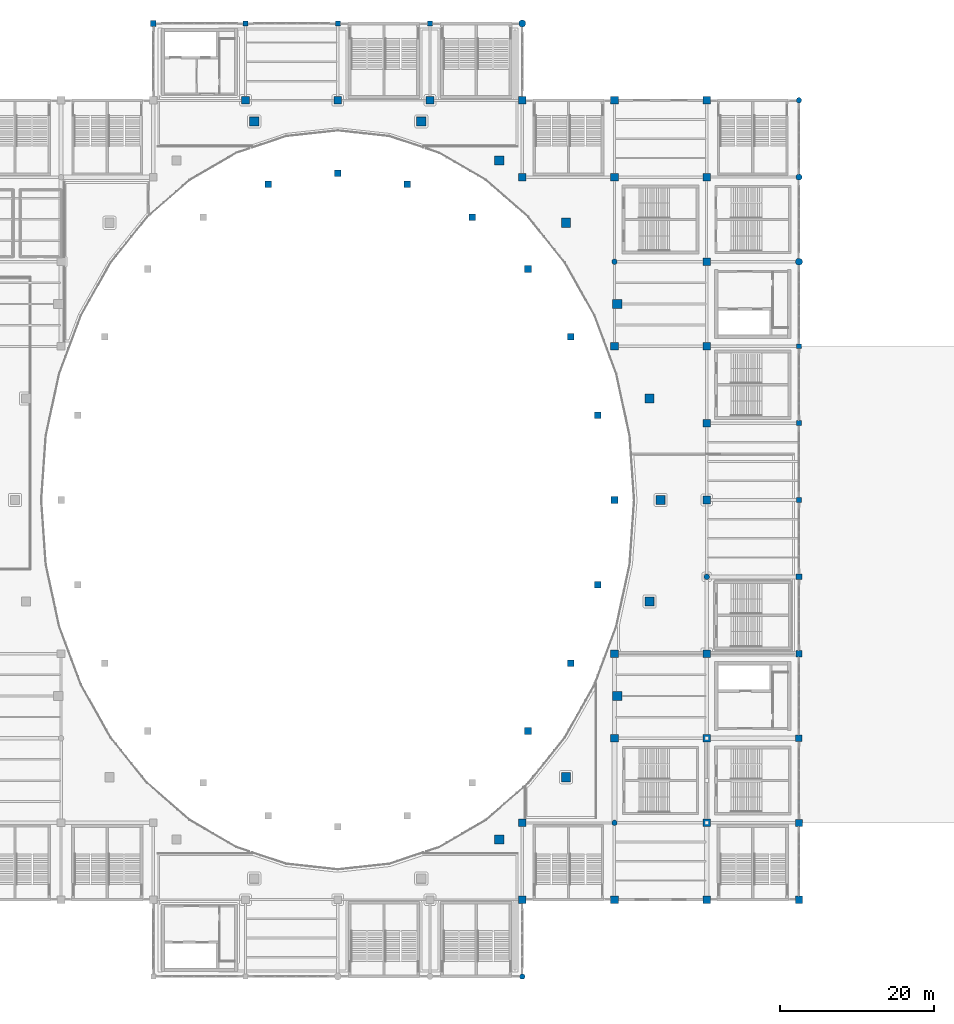
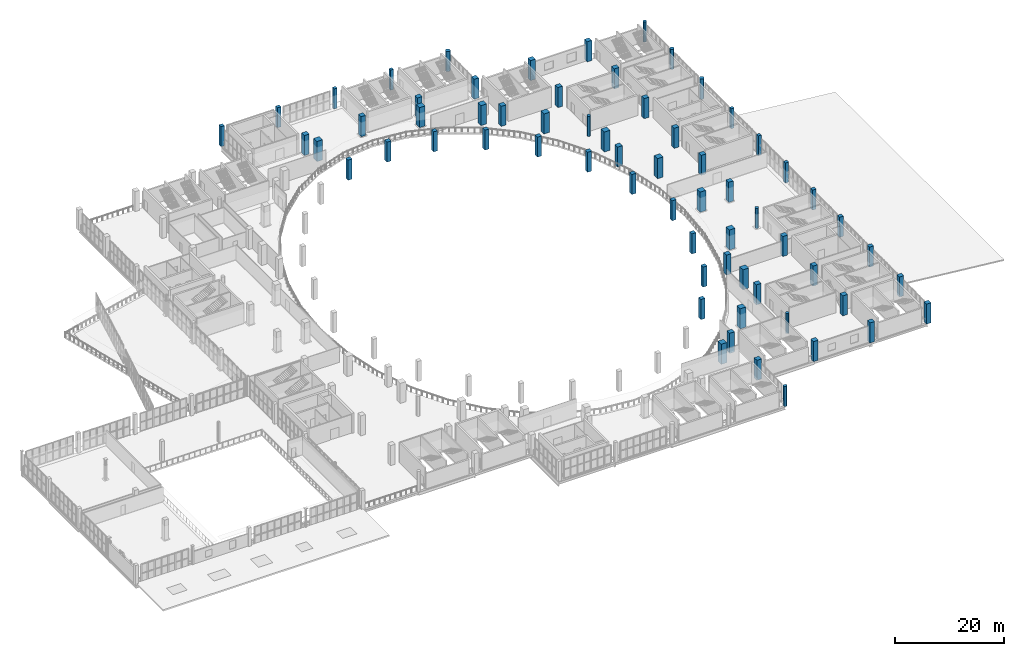
# One storey, part 7 of 108: 65 columns.
"""IFC4 building model written with IfcOpenShell, lengths in metres."""

from ifc_helpers import new_model, si_unit, direction, frame, origin, origin_2d, place, context, subcontext, project, spatial, rectangle, circle, extrude, material, material_profile, profile_set, type_object, element, save


model = new_model("IFC4")

# Units and contexts
model_context = context("Model", 3, precision=1e-05, world=origin(), true_north=direction((0.0, 1.0)))
body_context = subcontext(model_context, "Body", "Model", "MODEL_VIEW")
ifc_project = project(units=[si_unit("LENGTHUNIT", "METRE"), si_unit("AREAUNIT", "SQUARE_METRE"), si_unit("VOLUMEUNIT", "CUBIC_METRE"), si_unit("PLANEANGLEUNIT", "RADIAN"), si_unit("MASSUNIT", "GRAM", prefix="KILO")], contexts=[model_context])

# Site, building, storey
site_placement = place(None, origin())
site = spatial("IfcSite", under=ifc_project, at=site_placement, CompositionType="ELEMENT")
building_placement = place(site_placement, origin())
building = spatial("IfcBuilding", under=site, at=building_placement, Name="Brinegate Civic Arena", CompositionType="ELEMENT")
storey_placement = place(building_placement, frame((0.0, 0.0, 10.199951171875)))
storey = spatial("IfcBuildingStorey", under=building, at=storey_placement, Name="L02", CompositionType="ELEMENT", Elevation=10.199951171875)

# Columns
ifc_material = material(Name="Concrete C50/60", Category="concrete")
ifc_material_profile_1 = material_profile(ifc_material, rectangle(XDim=1.199951171875, YDim=1.199951171875, at=origin_2d()), Name="RC1200X1200")
ifc_profile_set_1 = profile_set([ifc_material_profile_1], Name="Concrete C50/60")
column_type_1 = type_object("IfcColumnType", Name="COL-CC01-1200", PredefinedType="COLUMN", material=ifc_profile_set_1)
for number, where, z_axis, x_axis, name in (
    (1, (150.0, 62.0, 0.0), (0.0, 0.0, 1.0), (1.0, 0.0, 0.0), "Bowl Raker Column OUT-01-L02"),
    (2, (148.569091796875, 75.199951171875, 0.0), (0.0, 0.0, 1.0), (1.0, 0.0, 0.0), "Bowl Raker Column OUT-02-L02"),
    (3, (144.373046875, 87.5, 0.0), (0.0, 0.0, 1.0), (1.0, 0.0, 0.0), "Bowl Raker Column OUT-03-L02"),
    (4, (137.697998046875, 98.06201171875, 0.0), (0.0, 0.0, 1.0), (1.0, 0.0, 0.0), "Bowl Raker Column OUT-04-L02"),
    (5, (129.0, 106.1669921875, 0.0), (0.0, 0.0, 1.0), (1.0, 0.0, 0.0), "Bowl Raker Column OUT-05-L02"),
    (6, (118.8701171875, 111.261962890625, 0.0), (0.0, 0.0, 1.0), (1.0, 0.0, 0.0), "Bowl Raker Column OUT-06-L02"),
    (7, (97.1298828125, 111.261962890625, 0.0), (0.0, 0.0, 1.0), (1.0, 0.0, 0.0), "Bowl Raker Column OUT-08-L02"),
    (8, (129.0, 17.8330078125, 0.0), (0.0, 0.0, 1.0), (1.0, 0.0, 0.0), "Bowl Raker Column OUT-21-L02"),
    (9, (137.697998046875, 25.93798828125, 0.0), (0.0, 0.0, 1.0), (1.0, 0.0, 0.0), "Bowl Raker Column OUT-22-L02"),
    (10, (144.373046875, 36.5, 0.0), (0.0, 0.0, 1.0), (1.0, 0.0, 0.0), "Bowl Raker Column OUT-23-L02"),
    (11, (148.569091796875, 48.800048828125, 0.0), (0.0, 0.0, 1.0), (1.0, 0.0, 0.0), "Bowl Raker Column OUT-24-L02"),
):
    element("IfcColumn", number, at=place(storey_placement, frame(where, z_axis=z_axis, x_axis=x_axis)), inside=storey, type_object=column_type_1, Name=name, PredefinedType="COLUMN", context=body_context, shape_type="SweptSolid", body=[
        extrude(rectangle(XDim=1.199951171875, YDim=1.199951171875, at=origin_2d()), origin(), (0.0, 0.0, 1.0), 4.5),
    ])
ifc_material_profile_2 = material_profile(ifc_material, rectangle(XDim=1.0, YDim=1.0, at=origin_2d()), Name="RC1000X1000")
ifc_profile_set_2 = profile_set([ifc_material_profile_2], Name="Concrete C50/60")
column_type_2 = type_object("IfcColumnType", Name="COL-CC03-1000", PredefinedType="COLUMN", material=ifc_profile_set_2)
for number, where, z_axis, x_axis, name in (
    (12, (96.0, 114.0, 0.0), (0.0, 0.0, 1.0), (1.0, 0.0, 0.0), "Column COL-L02-9-M"),
    (13, (108.0, 114.0, 0.0), (0.0, 0.0, 1.0), (1.0, 0.0, 0.0), "Column COL-L02-10-M"),
    (14, (120.0, 114.0, 0.0), (0.0, 0.0, 1.0), (1.0, 0.0, 0.0), "Column COL-L02-11-M"),
    (15, (132.0, 10.0, 0.0), (0.0, 0.0, 1.0), (1.0, 0.0, 0.0), "Column COL-L02-12-B"),
    (16, (132.0, 20.0, 0.0), (0.0, 0.0, 1.0), (1.0, 0.0, 0.0), "Column COL-L02-12-C"),
    (17, (132.0, 104.0, 0.0), (0.0, 0.0, 1.0), (1.0, 0.0, 0.0), "Column COL-L02-12-L"),
    (18, (132.0, 114.0, 0.0), (0.0, 0.0, 1.0), (1.0, 0.0, 0.0), "Column COL-L02-12-M"),
    (19, (144.0, 10.0, 0.0), (0.0, 0.0, 1.0), (1.0, 0.0, 0.0), "Column COL-L02-13-B"),
    (20, (144.0, 31.0, 0.0), (0.0, 0.0, 1.0), (1.0, 0.0, 0.0), "Column COL-L02-13-D"),
    (21, (144.0, 42.0, 0.0), (0.0, 0.0, 1.0), (1.0, 0.0, 0.0), "Column COL-L02-13-E"),
    (22, (144.0, 82.0, 0.0), (0.0, 0.0, 1.0), (1.0, 0.0, 0.0), "Column COL-L02-13-J"),
    (23, (144.0, 104.0, 0.0), (0.0, 0.0, 1.0), (1.0, 0.0, 0.0), "Column COL-L02-13-L"),
    (24, (144.0, 114.0, 0.0), (0.0, 0.0, 1.0), (1.0, 0.0, 0.0), "Column COL-L02-13-M"),
    (25, (156.0, 10.0, 0.0), (0.0, 0.0, 1.0), (1.0, 0.0, 0.0), "Column COL-L02-14-B"),
    (26, (156.0, 20.0, 0.0), (0.0, 0.0, 1.0), (1.0, 0.0, 0.0), "Column COL-L02-14-C"),
    (27, (156.0, 31.0, 0.0), (0.0, 0.0, 1.0), (1.0, 0.0, 0.0), "Column COL-L02-14-D"),
    (28, (156.0, 42.0, 0.0), (0.0, 0.0, 1.0), (1.0, 0.0, 0.0), "Column COL-L02-14-E"),
    (29, (156.0, 62.0, 0.0), (0.0, 0.0, 1.0), (1.0, 0.0, 0.0), "Column COL-L02-14-G"),
    (30, (156.0, 72.0, 0.0), (0.0, 0.0, 1.0), (1.0, 0.0, 0.0), "Column COL-L02-14-H"),
    (31, (156.0, 82.0, 0.0), (0.0, 0.0, 1.0), (1.0, 0.0, 0.0), "Column COL-L02-14-J"),
    (32, (156.0, 93.0, 0.0), (0.0, 0.0, 1.0), (1.0, 0.0, 0.0), "Column COL-L02-14-K"),
    (33, (156.0, 104.0, 0.0), (0.0, 0.0, 1.0), (1.0, 0.0, 0.0), "Column COL-L02-14-L"),
    (34, (156.0, 114.0, 0.0), (0.0, 0.0, 1.0), (1.0, 0.0, 0.0), "Column COL-L02-14-M"),
):
    element("IfcColumn", number, at=place(storey_placement, frame(where, z_axis=z_axis, x_axis=x_axis)), inside=storey, type_object=column_type_2, Name=name, PredefinedType="COLUMN", context=body_context, shape_type="SweptSolid", body=[
        extrude(rectangle(XDim=1.0, YDim=1.0, at=origin_2d()), origin(), (0.0, 0.0, 1.0), 4.5),
    ])
ifc_material_profile_3 = material_profile(ifc_material, rectangle(XDim=0.949951171875, YDim=0.949951171875, at=origin_2d()), Name="RC950X950")
ifc_profile_set_3 = profile_set([ifc_material_profile_3], Name="Concrete C50/60")
column_type_3 = type_object("IfcColumnType", Name="COL-CC04-950", PredefinedType="COLUMN", material=ifc_profile_set_3)
column_1_placement = place(storey_placement, frame((168.0, 10.0, 0.0), z_axis=(0.0, 0.0, 1.0), x_axis=(1.0, 0.0, 0.0)))
element("IfcColumn", 35, at=column_1_placement, inside=storey, type_object=column_type_3, Name="Column COL-L02-15-B", PredefinedType="COLUMN", context=body_context, shape_type="SweptSolid", body=[
    extrude(rectangle(XDim=0.949951171875, YDim=0.949951171875, at=origin_2d()), origin(), (0.0, 0.0, 1.0), 4.5),
])
ifc_material_profile_4 = material_profile(ifc_material, rectangle(XDim=0.89990234375, YDim=0.89990234375, at=origin_2d()), Name="RC900X900")
ifc_profile_set_4 = profile_set([ifc_material_profile_4], Name="Concrete C50/60")
column_type_4 = type_object("IfcColumnType", Name="COL-CC05-900", PredefinedType="COLUMN", material=ifc_profile_set_4)
column_2_placement = place(storey_placement, frame((168.0, 20.0, 0.0), z_axis=(0.0, 0.0, 1.0), x_axis=(1.0, 0.0, 0.0)))
element("IfcColumn", 36, at=column_2_placement, inside=storey, type_object=column_type_4, Name="Column COL-L02-15-C", PredefinedType="COLUMN", context=body_context, shape_type="SweptSolid", body=[
    extrude(rectangle(XDim=0.89990234375, YDim=0.89990234375, at=origin_2d()), origin(), (0.0, 0.0, 1.0), 4.5),
])
ifc_material_profile_5 = material_profile(ifc_material, rectangle(XDim=0.85009765625, YDim=0.85009765625, at=origin_2d()), Name="RC850X850")
ifc_profile_set_5 = profile_set([ifc_material_profile_5], Name="Concrete C50/60")
column_type_5 = type_object("IfcColumnType", Name="COL-CC06-850", PredefinedType="COLUMN", material=ifc_profile_set_5)
for number, where, z_axis, x_axis, name in (
    (37, (168.0, 31.0, 0.0), (0.0, 0.0, 1.0), (1.0, 0.0, 0.0), "Column COL-L02-15-D"),
    (38, (144.0, 62.0, 0.0), (0.0, 0.0, 1.0), (1.0, 0.0, 0.0), "Upper Raker Inner Column UIN-01-L02"),
    (39, (141.806884765625, 73.0, 0.0), (0.0, 0.0, 1.0), (1.0, 0.0, 0.0), "Upper Raker Inner Column UIN-02-L02"),
    (40, (138.31103515625, 83.25, 0.0), (0.0, 0.0, 1.0), (1.0, 0.0, 0.0), "Upper Raker Inner Column UIN-03-L02"),
    (41, (132.7490234375, 92.052001953125, 0.0), (0.0, 0.0, 1.0), (1.0, 0.0, 0.0), "Upper Raker Inner Column UIN-04-L02"),
    (42, (125.5, 98.805908203125, 0.0), (0.0, 0.0, 1.0), (1.0, 0.0, 0.0), "Upper Raker Inner Column UIN-05-L02"),
    (43, (117.05908203125, 103.052001953125, 0.0), (0.0, 0.0, 1.0), (1.0, 0.0, 0.0), "Upper Raker Inner Column UIN-06-L02"),
    (44, (108.0, 104.5, 0.0), (0.0, 0.0, 1.0), (1.0, 0.0, 0.0), "Upper Raker Inner Column UIN-07-L02"),
    (45, (98.94091796875, 103.052001953125, 0.0), (0.0, 0.0, 1.0), (1.0, 0.0, 0.0), "Upper Raker Inner Column UIN-08-L02"),
    (46, (132.7490234375, 31.947998046875, 0.0), (0.0, 0.0, 1.0), (1.0, 0.0, 0.0), "Upper Raker Inner Column UIN-22-L02"),
    (47, (138.31103515625, 40.75, 0.0), (0.0, 0.0, 1.0), (1.0, 0.0, 0.0), "Upper Raker Inner Column UIN-23-L02"),
    (48, (141.806884765625, 51.0, 0.0), (0.0, 0.0, 1.0), (1.0, 0.0, 0.0), "Upper Raker Inner Column UIN-24-L02"),
):
    element("IfcColumn", number, at=place(storey_placement, frame(where, z_axis=z_axis, x_axis=x_axis)), inside=storey, type_object=column_type_5, Name=name, PredefinedType="COLUMN", context=body_context, shape_type="SweptSolid", body=[
        extrude(rectangle(XDim=0.85009765625, YDim=0.85009765625, at=origin_2d()), origin(), (0.0, 0.0, 1.0), 4.5),
    ])
ifc_material_profile_6 = material_profile(ifc_material, rectangle(XDim=0.800048828125, YDim=0.800048828125, at=origin_2d()), Name="RC800X800")
ifc_profile_set_6 = profile_set([ifc_material_profile_6], Name="Concrete C50/60")
column_type_6 = type_object("IfcColumnType", Name="COL-CC07-800", PredefinedType="COLUMN", material=ifc_profile_set_6)
column_3_placement = place(storey_placement, frame((168.0, 42.0, 0.0), z_axis=(0.0, 0.0, 1.0), x_axis=(1.0, 0.0, 0.0)))
element("IfcColumn", 49, at=column_3_placement, inside=storey, type_object=column_type_6, Name="Column COL-L02-15-E", PredefinedType="COLUMN", context=body_context, shape_type="SweptSolid", body=[
    extrude(rectangle(XDim=0.800048828125, YDim=0.800048828125, at=origin_2d()), origin(), (0.0, 0.0, 1.0), 4.5),
])
ifc_material_profile_7 = material_profile(ifc_material, rectangle(XDim=0.75, YDim=0.75, at=origin_2d()), Name="RC750X750")
ifc_profile_set_7 = profile_set([ifc_material_profile_7], Name="Concrete C50/60")
column_type_7 = type_object("IfcColumnType", Name="COL-CC08-750", PredefinedType="COLUMN", material=ifc_profile_set_7)
for number, where, z_axis, x_axis, name in (
    (50, (84.0, 124.0, 0.0), (0.0, 0.0, 1.0), (1.0, 0.0, 0.0), "Column COL-L02-8-N"),
    (51, (168.0, 52.0, 0.0), (0.0, 0.0, 1.0), (1.0, 0.0, 0.0), "Column COL-L02-15-F"),
):
    element("IfcColumn", number, at=place(storey_placement, frame(where, z_axis=z_axis, x_axis=x_axis)), inside=storey, type_object=column_type_7, Name=name, PredefinedType="COLUMN", context=body_context, shape_type="SweptSolid", body=[
        extrude(rectangle(XDim=0.75, YDim=0.75, at=origin_2d()), origin(), (0.0, 0.0, 1.0), 4.5),
    ])
ifc_material_profile_8 = material_profile(ifc_material, rectangle(XDim=0.699951171875, YDim=0.699951171875, at=origin_2d()), Name="RC700X700")
ifc_profile_set_8 = profile_set([ifc_material_profile_8], Name="Concrete C50/60")
column_type_8 = type_object("IfcColumnType", Name="COL-CC09-700", PredefinedType="COLUMN", material=ifc_profile_set_8)
for number, where, z_axis, x_axis, name in (
    (52, (96.0, 124.0, 0.0), (0.0, 0.0, 1.0), (1.0, 0.0, 0.0), "Column COL-L02-9-N"),
    (53, (168.0, 62.0, 0.0), (0.0, 0.0, 1.0), (1.0, 0.0, 0.0), "Column COL-L02-15-G"),
):
    element("IfcColumn", number, at=place(storey_placement, frame(where, z_axis=z_axis, x_axis=x_axis)), inside=storey, type_object=column_type_8, Name=name, PredefinedType="COLUMN", context=body_context, shape_type="SweptSolid", body=[
        extrude(rectangle(XDim=0.699951171875, YDim=0.699951171875, at=origin_2d()), origin(), (0.0, 0.0, 1.0), 4.5),
    ])
ifc_material_profile_9 = material_profile(ifc_material, rectangle(XDim=0.64990234375, YDim=0.64990234375, at=origin_2d()), Name="RC650X650")
ifc_profile_set_9 = profile_set([ifc_material_profile_9], Name="Concrete C50/60")
column_type_9 = type_object("IfcColumnType", Name="COL-CC10-650", PredefinedType="COLUMN", material=ifc_profile_set_9)
for number, where, z_axis, x_axis, name in (
    (54, (108.0, 124.0, 0.0), (0.0, 0.0, 1.0), (1.0, 0.0, 0.0), "Column COL-L02-10-N"),
    (55, (168.0, 72.0, 0.0), (0.0, 0.0, 1.0), (1.0, 0.0, 0.0), "Column COL-L02-15-H"),
):
    element("IfcColumn", number, at=place(storey_placement, frame(where, z_axis=z_axis, x_axis=x_axis)), inside=storey, type_object=column_type_9, Name=name, PredefinedType="COLUMN", context=body_context, shape_type="SweptSolid", body=[
        extrude(rectangle(XDim=0.64990234375, YDim=0.64990234375, at=origin_2d()), origin(), (0.0, 0.0, 1.0), 4.5),
    ])
ifc_material_profile_10 = material_profile(ifc_material, rectangle(XDim=0.60009765625, YDim=0.60009765625, at=origin_2d()), Name="RC600X600")
ifc_profile_set_10 = profile_set([ifc_material_profile_10], Name="Concrete C50/60")
column_type_10 = type_object("IfcColumnType", Name="COL-CC11-600", PredefinedType="COLUMN", material=ifc_profile_set_10)
for number, where, z_axis, x_axis, name in (
    (56, (120.0, 124.0, 0.0), (0.0, 0.0, 1.0), (1.0, 0.0, 0.0), "Column COL-L02-11-N"),
    (57, (168.0, 82.0, 0.0), (0.0, 0.0, 1.0), (1.0, 0.0, 0.0), "Column COL-L02-15-J"),
):
    element("IfcColumn", number, at=place(storey_placement, frame(where, z_axis=z_axis, x_axis=x_axis)), inside=storey, type_object=column_type_10, Name=name, PredefinedType="COLUMN", context=body_context, shape_type="SweptSolid", body=[
        extrude(rectangle(XDim=0.60009765625, YDim=0.60009765625, at=origin_2d()), origin(), (0.0, 0.0, 1.0), 4.5),
    ])
ifc_material_profile_11 = material_profile(ifc_material, circle(Radius=0.449951171875, at=origin_2d()), Name="RCD900")
ifc_profile_set_11 = profile_set([ifc_material_profile_11], Name="Concrete C50/60")
column_type_11 = type_object("IfcColumnType", Name="COL-CC12-D900", PredefinedType="COLUMN", material=ifc_profile_set_11)
for number, where, z_axis, x_axis, name in (
    (58, (132.0, 124.0, 0.0), (0.0, 0.0, 1.0), (1.0, 0.0, 0.0), "Column COL-L02-12-N"),
    (59, (168.0, 93.0, 0.0), (0.0, 0.0, 1.0), (1.0, 0.0, 0.0), "Column COL-L02-15-K"),
):
    element("IfcColumn", number, at=place(storey_placement, frame(where, z_axis=z_axis, x_axis=x_axis)), inside=storey, type_object=column_type_11, Name=name, PredefinedType="COLUMN", context=body_context, shape_type="SweptSolid", body=[
        extrude(circle(Radius=0.449951171875, at=origin_2d()), origin(), (0.0, 0.0, 1.0), 4.5),
    ])
ifc_material_profile_12 = material_profile(ifc_material, circle(Radius=0.39990234375, at=origin_2d()), Name="RCD800")
ifc_profile_set_12 = profile_set([ifc_material_profile_12], Name="Concrete C50/60")
column_type_12 = type_object("IfcColumnType", Name="COL-CC13-D800", PredefinedType="COLUMN", material=ifc_profile_set_12)
column_4_placement = place(storey_placement, frame((168.0, 104.0, 0.0), z_axis=(0.0, 0.0, 1.0), x_axis=(1.0, 0.0, 0.0)))
element("IfcColumn", 60, at=column_4_placement, inside=storey, type_object=column_type_12, Name="Column COL-L02-15-L", PredefinedType="COLUMN", context=body_context, shape_type="SweptSolid", body=[
    extrude(circle(Radius=0.39990234375, at=origin_2d()), origin(), (0.0, 0.0, 1.0), 4.5),
])
ifc_material_profile_13 = material_profile(ifc_material, circle(Radius=0.35009765625, at=origin_2d()), Name="RCD700")
ifc_profile_set_13 = profile_set([ifc_material_profile_13], Name="Concrete C50/60")
column_type_13 = type_object("IfcColumnType", Name="COL-CC14-D700", PredefinedType="COLUMN", material=ifc_profile_set_13)
for number, where, z_axis, x_axis, name in (
    (61, (132.0, 0.0, 0.0), (0.0, 0.0, 1.0), (1.0, 0.0, 0.0), "Column COL-L02-12-A"),
    (62, (144.0, 20.0, 0.0), (0.0, 0.0, 1.0), (1.0, 0.0, 0.0), "Column COL-L02-13-C"),
    (63, (144.0, 93.0, 0.0), (0.0, 0.0, 1.0), (1.0, 0.0, 0.0), "Column COL-L02-13-K"),
    (64, (156.0, 52.0, 0.0), (0.0, 0.0, 1.0), (1.0, 0.0, 0.0), "Column COL-L02-14-F"),
    (65, (168.0, 114.0, 0.0), (0.0, 0.0, 1.0), (1.0, 0.0, 0.0), "Column COL-L02-15-M"),
):
    element("IfcColumn", number, at=place(storey_placement, frame(where, z_axis=z_axis, x_axis=x_axis)), inside=storey, type_object=column_type_13, Name=name, PredefinedType="COLUMN", context=body_context, shape_type="SweptSolid", body=[
        extrude(circle(Radius=0.35009765625, at=origin_2d()), origin(), (0.0, 0.0, 1.0), 4.5),
    ])

save(model, "model.ifc")
